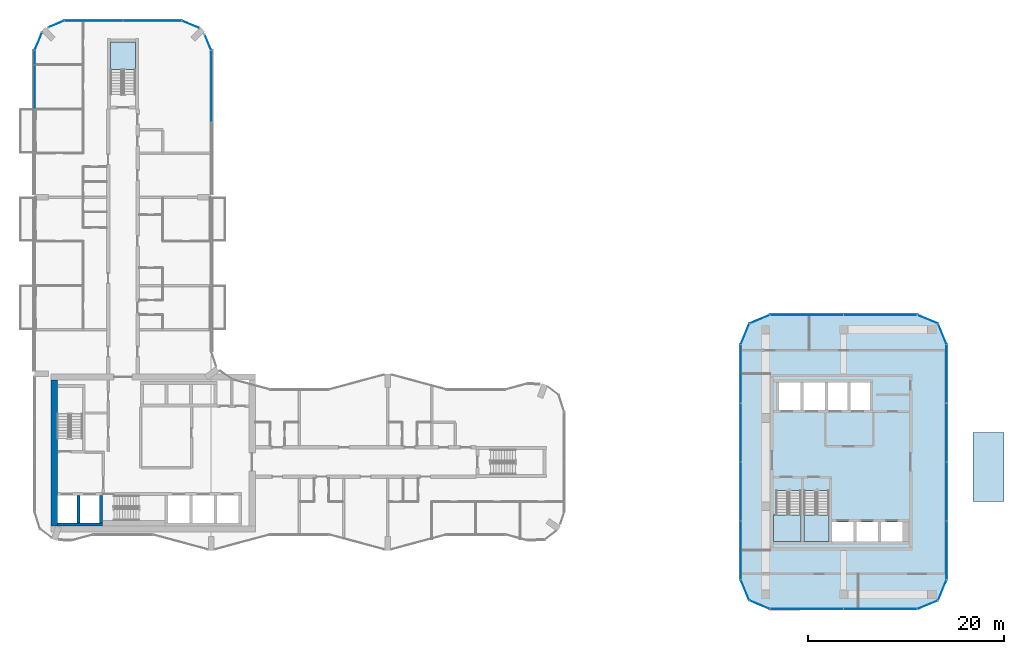
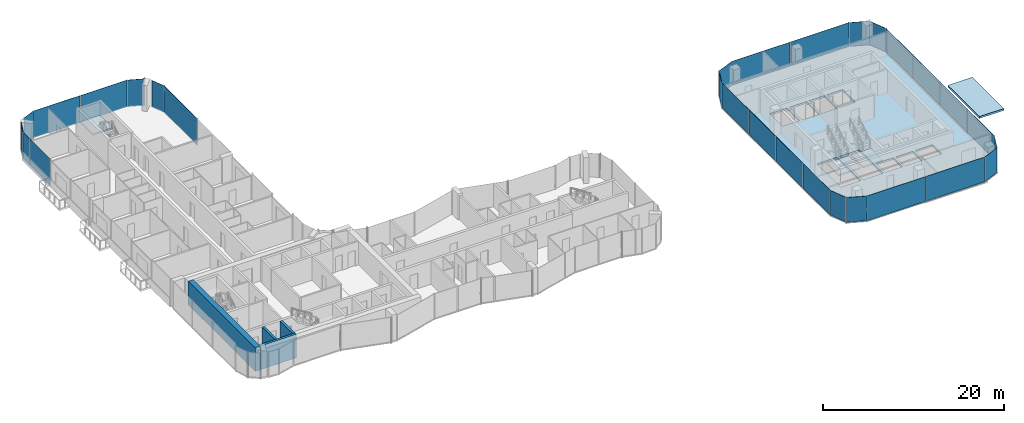
# One storey, part 10 of 19: 29 plates, 5 slabs, 4 walls, 22 elements without a shape of their own.
"""IFC4 building model written with IfcOpenShell, lengths in metres."""

from ifc_helpers import new_model, si_unit, direction, frame, frame_2d, origin, origin_2d, place, context, subcontext, project, spatial, polyline, rectangle, outline, extrude, material, layer, layer_set, type_object, element, aggregate, save


model = new_model("IFC4")

# Units and contexts
model_context = context("Model", 3, precision=1e-05, world=origin(), true_north=direction((0.0, 1.0)))
body_context = subcontext(model_context, "Body", "Model", "MODEL_VIEW")
ifc_project = project(units=[si_unit("LENGTHUNIT", "METRE"), si_unit("AREAUNIT", "SQUARE_METRE"), si_unit("VOLUMEUNIT", "CUBIC_METRE"), si_unit("PLANEANGLEUNIT", "RADIAN"), si_unit("MASSUNIT", "GRAM", prefix="KILO")], contexts=[model_context])

# Site, building, storey
site_placement = place(None, origin())
site = spatial("IfcSite", under=ifc_project, at=site_placement, CompositionType="ELEMENT")
building_placement = place(site_placement, origin())
building = spatial("IfcBuilding", under=site, at=building_placement, Name="Plateau Cross Towers", CompositionType="ELEMENT")
storey_placement = place(building_placement, frame((0.0, 0.0, 120.300048828125)))
storey = spatial("IfcBuildingStorey", under=building, at=storey_placement, Name="L31", CompositionType="ELEMENT", Elevation=120.300048828125)

# Curtain wall, plates
ifc_material_1 = material(Name="Dark low-iron glass", Category="glass")
ifc_layer_1 = layer(ifc_material_1, 0.239990234375)
ifc_layer_set_1 = layer_set([ifc_layer_1], Name="Dark low-iron glass")
curtain_wall_type_1 = type_object("IfcCurtainWallType", Name="Curtain wall office unitised CW-F", PredefinedType="NOTDEFINED", material=ifc_layer_set_1)
curtain_wall_1_placement = place(storey_placement, origin())
curtain_wall_1 = element("IfcCurtainWall", 1, at=curtain_wall_1_placement, inside=storey, type_object=curtain_wall_type_1, Name="ENV/B/L31/B750_-60", PredefinedType="NOTDEFINED")
ifc_layer_2 = layer(ifc_material_1, 0.028076171875)
ifc_layer_set_2 = layer_set([ifc_layer_2], Name="Dark low-iron glass")
plate_type_1 = type_object("IfcPlateType", Name="Glass panel 28 office unitised", PredefinedType="CURTAIN_PANEL", material=ifc_layer_set_2)
plate_1_placement = place(storey_placement, frame((78.75, -6.0, -0.130126953125), z_axis=(0.0, 0.0, 1.0), x_axis=(1.0, 0.0, 0.0)))
plate_1 = element("IfcPlate", 2, at=plate_1_placement, type_object=plate_type_1, Name="CW-F panel 1", PredefinedType="CURTAIN_PANEL", context=body_context, shape_type="SweptSolid", body=[
    extrude(rectangle(XDim=7.43994140625, YDim=0.028076171875, at=origin_2d()), origin(), (0.0, 0.0, 1.0), 3.330078125),
])
plate_2_placement = place(storey_placement, frame((86.25, -6.0, -0.130126953125), z_axis=(0.0, 0.0, 1.0), x_axis=(1.0, 0.0, 0.0)))
plate_2 = element("IfcPlate", 3, at=plate_2_placement, type_object=plate_type_1, Name="CW-F panel 2", PredefinedType="CURTAIN_PANEL", context=body_context, shape_type="SweptSolid", body=[
    extrude(rectangle(XDim=7.43994140625, YDim=0.028076171875, at=origin_2d()), origin(), (0.0, 0.0, 1.0), 3.330078125),
])
aggregate(curtain_wall_1, [plate_1, plate_2])

# Curtain wall, plate
curtain_wall_2_placement = place(storey_placement, origin())
curtain_wall_2 = element("IfcCurtainWall", 4, at=curtain_wall_2_placement, inside=storey, type_object=curtain_wall_type_1, Name="ENV/B/L31/B900_-60", PredefinedType="NOTDEFINED")
plate_3_placement = place(storey_placement, frame((91.060546875, -5.560546875, -0.130126953125), z_axis=(0.0, 0.0, 1.0), x_axis=(0.923879457699, 0.382683612978, 0.0)))
plate_3 = element("IfcPlate", 5, at=plate_3_placement, type_object=plate_type_1, Name="CW-F panel 1", PredefinedType="CURTAIN_PANEL", context=body_context, shape_type="SweptSolid", body=[
    extrude(rectangle(XDim=2.236083984375, YDim=0.028076171875, at=origin_2d()), origin(), (0.0, 0.0, 1.0), 3.330078125),
])
aggregate(curtain_wall_2, [plate_3])

curtain_wall_3_placement = place(storey_placement, origin())
curtain_wall_3 = element("IfcCurtainWall", 6, at=curtain_wall_3_placement, inside=storey, type_object=curtain_wall_type_1, Name="ENV/B/L31/B921_-51", PredefinedType="NOTDEFINED")
plate_4_placement = place(storey_placement, frame((92.560546875, -4.060546875, -0.130126953125), z_axis=(0.0, 0.0, 1.0), x_axis=(0.382683612978, 0.923879457699, 0.0)))
plate_4 = element("IfcPlate", 7, at=plate_4_placement, type_object=plate_type_1, Name="CW-F panel 1", PredefinedType="CURTAIN_PANEL", context=body_context, shape_type="SweptSolid", body=[
    extrude(rectangle(XDim=2.236083984375, YDim=0.028076171875, at=origin_2d()), origin(), (0.0, 0.0, 1.0), 3.330078125),
])
aggregate(curtain_wall_3, [plate_4])

# Curtain wall, plates
curtain_wall_4_placement = place(storey_placement, origin())
curtain_wall_4 = element("IfcCurtainWall", 8, at=curtain_wall_4_placement, inside=storey, type_object=curtain_wall_type_1, Name="ENV/B/L31/B930_-30", PredefinedType="NOTDEFINED")
plate_5_placement = place(storey_placement, frame((93.0, 0.0, -0.130126953125), z_axis=(0.0, 0.0, 1.0), x_axis=(0.0, 1.0, 0.0)))
plate_5 = element("IfcPlate", 9, at=plate_5_placement, type_object=plate_type_1, Name="CW-F panel 1", PredefinedType="CURTAIN_PANEL", context=body_context, shape_type="SweptSolid", body=[
    extrude(rectangle(XDim=5.93994140625, YDim=0.028076171875, at=origin_2d()), origin(), (0.0, 0.0, 1.0), 3.330078125),
])
plate_6_placement = place(storey_placement, frame((93.0, 6.0, -0.130126953125), z_axis=(0.0, 0.0, 1.0), x_axis=(0.0, 1.0, 0.0)))
plate_6 = element("IfcPlate", 10, at=plate_6_placement, type_object=plate_type_1, Name="CW-F panel 2", PredefinedType="CURTAIN_PANEL", context=body_context, shape_type="SweptSolid", body=[
    extrude(rectangle(XDim=5.93994140625, YDim=0.028076171875, at=origin_2d()), origin(), (0.0, 0.0, 1.0), 3.330078125),
])
plate_7_placement = place(storey_placement, frame((93.0, 12.0, -0.130126953125), z_axis=(0.0, 0.0, 1.0), x_axis=(0.0, 1.0, 0.0)))
plate_7 = element("IfcPlate", 11, at=plate_7_placement, type_object=plate_type_1, Name="CW-F panel 3", PredefinedType="CURTAIN_PANEL", context=body_context, shape_type="SweptSolid", body=[
    extrude(rectangle(XDim=5.93994140625, YDim=0.028076171875, at=origin_2d()), origin(), (0.0, 0.0, 1.0), 3.330078125),
])
plate_8_placement = place(storey_placement, frame((93.0, 18.0, -0.130126953125), z_axis=(0.0, 0.0, 1.0), x_axis=(0.0, 1.0, 0.0)))
plate_8 = element("IfcPlate", 12, at=plate_8_placement, type_object=plate_type_1, Name="CW-F panel 4", PredefinedType="CURTAIN_PANEL", context=body_context, shape_type="SweptSolid", body=[
    extrude(rectangle(XDim=5.93994140625, YDim=0.028076171875, at=origin_2d()), origin(), (0.0, 0.0, 1.0), 3.330078125),
])
aggregate(curtain_wall_4, [plate_5, plate_6, plate_7, plate_8])

# Curtain wall, plate
curtain_wall_5_placement = place(storey_placement, origin())
curtain_wall_5 = element("IfcCurtainWall", 13, at=curtain_wall_5_placement, inside=storey, type_object=curtain_wall_type_1, Name="ENV/B/L31/B930_210", PredefinedType="NOTDEFINED")
plate_9_placement = place(storey_placement, frame((92.560546875, 22.060546875, -0.130126953125), z_axis=(0.0, 0.0, 1.0), x_axis=(-0.382683612978, 0.923879457699, 0.0)))
plate_9 = element("IfcPlate", 14, at=plate_9_placement, type_object=plate_type_1, Name="CW-F panel 1", PredefinedType="CURTAIN_PANEL", context=body_context, shape_type="SweptSolid", body=[
    extrude(rectangle(XDim=2.236083984375, YDim=0.028076171875, at=origin_2d()), origin(), (0.0, 0.0, 1.0), 3.330078125),
])
aggregate(curtain_wall_5, [plate_9])

curtain_wall_6_placement = place(storey_placement, origin())
curtain_wall_6 = element("IfcCurtainWall", 15, at=curtain_wall_6_placement, inside=storey, type_object=curtain_wall_type_1, Name="ENV/B/L31/B921_231", PredefinedType="NOTDEFINED")
plate_10_placement = place(storey_placement, frame((91.060546875, 23.560546875, -0.130126953125), z_axis=(0.0, 0.0, 1.0), x_axis=(-0.923879457699, 0.382683612978, 0.0)))
plate_10 = element("IfcPlate", 16, at=plate_10_placement, type_object=plate_type_1, Name="CW-F panel 1", PredefinedType="CURTAIN_PANEL", context=body_context, shape_type="SweptSolid", body=[
    extrude(rectangle(XDim=2.236083984375, YDim=0.028076171875, at=origin_2d()), origin(), (0.0, 0.0, 1.0), 3.330078125),
])
aggregate(curtain_wall_6, [plate_10])

# Curtain wall, plates
curtain_wall_7_placement = place(storey_placement, origin())
curtain_wall_7 = element("IfcCurtainWall", 17, at=curtain_wall_7_placement, inside=storey, type_object=curtain_wall_type_1, Name="ENV/B/L31/B900_240", PredefinedType="NOTDEFINED")
plate_11_placement = place(storey_placement, frame((86.25, 24.0, -0.130126953125), z_axis=(0.0, 0.0, 1.0), x_axis=(-1.0, 0.0, 0.0)))
plate_11 = element("IfcPlate", 18, at=plate_11_placement, type_object=plate_type_1, Name="CW-F panel 1", PredefinedType="CURTAIN_PANEL", context=body_context, shape_type="SweptSolid", body=[
    extrude(rectangle(XDim=7.43994140625, YDim=0.028076171875, at=origin_2d()), origin(), (0.0, 0.0, 1.0), 3.330078125),
])
plate_12_placement = place(storey_placement, frame((78.75, 24.0, -0.130126953125), z_axis=(0.0, 0.0, 1.0), x_axis=(-1.0, 0.0, 0.0)))
plate_12 = element("IfcPlate", 19, at=plate_12_placement, type_object=plate_type_1, Name="CW-F panel 2", PredefinedType="CURTAIN_PANEL", context=body_context, shape_type="SweptSolid", body=[
    extrude(rectangle(XDim=7.43994140625, YDim=0.028076171875, at=origin_2d()), origin(), (0.0, 0.0, 1.0), 3.330078125),
])
aggregate(curtain_wall_7, [plate_11, plate_12])

# Curtain wall, plate
curtain_wall_8_placement = place(storey_placement, origin())
curtain_wall_8 = element("IfcCurtainWall", 20, at=curtain_wall_8_placement, inside=storey, type_object=curtain_wall_type_1, Name="ENV/B/L31/B750_240", PredefinedType="NOTDEFINED")
plate_13_placement = place(storey_placement, frame((73.939453125, 23.560546875, -0.130126953125), z_axis=(0.0, 0.0, 1.0), x_axis=(-0.923879457699, -0.382683612978, 0.0)))
plate_13 = element("IfcPlate", 21, at=plate_13_placement, type_object=plate_type_1, Name="CW-F panel 1", PredefinedType="CURTAIN_PANEL", context=body_context, shape_type="SweptSolid", body=[
    extrude(rectangle(XDim=2.236083984375, YDim=0.028076171875, at=origin_2d()), origin(), (0.0, 0.0, 1.0), 3.330078125),
])
aggregate(curtain_wall_8, [plate_13])

curtain_wall_9_placement = place(storey_placement, origin())
curtain_wall_9 = element("IfcCurtainWall", 22, at=curtain_wall_9_placement, inside=storey, type_object=curtain_wall_type_1, Name="ENV/B/L31/B729_231", PredefinedType="NOTDEFINED")
plate_14_placement = place(storey_placement, frame((72.439453125, 22.060546875, -0.130126953125), z_axis=(0.0, 0.0, 1.0), x_axis=(-0.382683612978, -0.923879457699, 0.0)))
plate_14 = element("IfcPlate", 23, at=plate_14_placement, type_object=plate_type_1, Name="CW-F panel 1", PredefinedType="CURTAIN_PANEL", context=body_context, shape_type="SweptSolid", body=[
    extrude(rectangle(XDim=2.236083984375, YDim=0.028076171875, at=origin_2d()), origin(), (0.0, 0.0, 1.0), 3.330078125),
])
aggregate(curtain_wall_9, [plate_14])

# Curtain wall, plates
curtain_wall_10_placement = place(storey_placement, origin())
curtain_wall_10 = element("IfcCurtainWall", 24, at=curtain_wall_10_placement, inside=storey, type_object=curtain_wall_type_1, Name="ENV/B/L31/B720_210", PredefinedType="NOTDEFINED")
plate_15_placement = place(storey_placement, frame((72.0, 18.0, -0.130126953125), z_axis=(0.0, 0.0, 1.0), x_axis=(0.0, -1.0, 0.0)))
plate_15 = element("IfcPlate", 25, at=plate_15_placement, type_object=plate_type_1, Name="CW-F panel 1", PredefinedType="CURTAIN_PANEL", context=body_context, shape_type="SweptSolid", body=[
    extrude(rectangle(XDim=5.93994140625, YDim=0.028076171875, at=origin_2d()), origin(), (0.0, 0.0, 1.0), 3.330078125),
])
plate_16_placement = place(storey_placement, frame((72.0, 12.0, -0.130126953125), z_axis=(0.0, 0.0, 1.0), x_axis=(0.0, -1.0, 0.0)))
plate_16 = element("IfcPlate", 26, at=plate_16_placement, type_object=plate_type_1, Name="CW-F panel 2", PredefinedType="CURTAIN_PANEL", context=body_context, shape_type="SweptSolid", body=[
    extrude(rectangle(XDim=5.93994140625, YDim=0.028076171875, at=origin_2d()), origin(), (0.0, 0.0, 1.0), 3.330078125),
])
plate_17_placement = place(storey_placement, frame((72.0, 6.0, -0.130126953125), z_axis=(0.0, 0.0, 1.0), x_axis=(0.0, -1.0, 0.0)))
plate_17 = element("IfcPlate", 27, at=plate_17_placement, type_object=plate_type_1, Name="CW-F panel 3", PredefinedType="CURTAIN_PANEL", context=body_context, shape_type="SweptSolid", body=[
    extrude(rectangle(XDim=5.93994140625, YDim=0.028076171875, at=origin_2d()), origin(), (0.0, 0.0, 1.0), 3.330078125),
])
plate_18_placement = place(storey_placement, frame((72.0, 0.0, -0.130126953125), z_axis=(0.0, 0.0, 1.0), x_axis=(0.0, -1.0, 0.0)))
plate_18 = element("IfcPlate", 28, at=plate_18_placement, type_object=plate_type_1, Name="CW-F panel 4", PredefinedType="CURTAIN_PANEL", context=body_context, shape_type="SweptSolid", body=[
    extrude(rectangle(XDim=5.93994140625, YDim=0.028076171875, at=origin_2d()), origin(), (0.0, 0.0, 1.0), 3.330078125),
])
aggregate(curtain_wall_10, [plate_15, plate_16, plate_17, plate_18])

# Curtain wall, plate
curtain_wall_11_placement = place(storey_placement, origin())
curtain_wall_11 = element("IfcCurtainWall", 29, at=curtain_wall_11_placement, inside=storey, type_object=curtain_wall_type_1, Name="ENV/B/L31/B720_-30", PredefinedType="NOTDEFINED")
plate_19_placement = place(storey_placement, frame((72.439453125, -4.060546875, -0.130126953125), z_axis=(0.0, 0.0, 1.0), x_axis=(0.382683612978, -0.923879457699, 0.0)))
plate_19 = element("IfcPlate", 30, at=plate_19_placement, type_object=plate_type_1, Name="CW-F panel 1", PredefinedType="CURTAIN_PANEL", context=body_context, shape_type="SweptSolid", body=[
    extrude(rectangle(XDim=2.236083984375, YDim=0.028076171875, at=origin_2d()), origin(), (0.0, 0.0, 1.0), 3.330078125),
])
aggregate(curtain_wall_11, [plate_19])

curtain_wall_12_placement = place(storey_placement, origin())
curtain_wall_12 = element("IfcCurtainWall", 31, at=curtain_wall_12_placement, inside=storey, type_object=curtain_wall_type_1, Name="ENV/B/L31/B729_-51", PredefinedType="NOTDEFINED")
plate_20_placement = place(storey_placement, frame((73.939453125, -5.560546875, -0.130126953125), z_axis=(0.0, 0.0, 1.0), x_axis=(0.923879457699, -0.382683612978, 0.0)))
plate_20 = element("IfcPlate", 32, at=plate_20_placement, type_object=plate_type_1, Name="CW-F panel 1", PredefinedType="CURTAIN_PANEL", context=body_context, shape_type="SweptSolid", body=[
    extrude(rectangle(XDim=2.236083984375, YDim=0.028076171875, at=origin_2d()), origin(), (0.0, 0.0, 1.0), 3.330078125),
])
aggregate(curtain_wall_12, [plate_20])

ifc_layer_3 = layer(ifc_material_1, 0.239990234375)
ifc_layer_set_3 = layer_set([ifc_layer_3], Name="Dark low-iron glass")
curtain_wall_type_2 = type_object("IfcCurtainWallType", Name="Curtain wall flush unitised CW-B", PredefinedType="NOTDEFINED", material=ifc_layer_set_3)
curtain_wall_13_placement = place(storey_placement, origin())
curtain_wall_13 = element("IfcCurtainWall", 33, at=curtain_wall_13_placement, inside=storey, type_object=curtain_wall_type_2, Name="ENV/A/L31/A180_363", PredefinedType="NOTDEFINED")
ifc_layer_4 = layer(ifc_material_1, 0.031982421875)
ifc_layer_set_4 = layer_set([ifc_layer_4], Name="Dark low-iron glass")
plate_type_2 = type_object("IfcPlateType", Name="Glass panel 32 flush unitised", PredefinedType="CURTAIN_PANEL", material=ifc_layer_set_4)
plate_21_placement = place(storey_placement, frame((18.0, 47.324951171875, -0.1298828125), z_axis=(0.0, 0.0, 1.0), x_axis=(0.0, 1.0, 0.0)))
plate_21 = element("IfcPlate", 34, at=plate_21_placement, type_object=plate_type_2, Name="CW-B panel 2", PredefinedType="CURTAIN_PANEL", context=body_context, shape_type="SweptSolid", body=[
    extrude(rectangle(XDim=7.2900390625, YDim=0.031982421875, at=origin_2d()), origin(), (0.0, 0.0, 1.0), 3.6298828125),
])
aggregate(curtain_wall_13, [plate_21])

curtain_wall_14_placement = place(storey_placement, origin())
curtain_wall_14 = element("IfcCurtainWall", 35, at=curtain_wall_14_placement, inside=storey, type_object=curtain_wall_type_2, Name="ENV/A/L31/A180_510", PredefinedType="NOTDEFINED")
plate_22_placement = place(storey_placement, frame((17.66943359375, 51.79833984375, -0.1298828125), z_axis=(0.0, 0.0, 1.0), x_axis=(-0.382683612978, 0.923879457699, 0.0)))
plate_22 = element("IfcPlate", 36, at=plate_22_placement, type_object=plate_type_2, Name="CW-B panel 1", PredefinedType="CURTAIN_PANEL", context=body_context, shape_type="SweptSolid", body=[
    extrude(rectangle(XDim=1.668212890625, YDim=0.031982421875, at=origin_2d()), origin(), (0.0, 0.0, 1.0), 3.6298828125),
])
aggregate(curtain_wall_14, [plate_22])

curtain_wall_15_placement = place(storey_placement, origin())
curtain_wall_15 = element("IfcCurtainWall", 37, at=curtain_wall_15_placement, inside=storey, type_object=curtain_wall_type_2, Name="ENV/A/L31/A168_533", PredefinedType="NOTDEFINED")
plate_23_placement = place(storey_placement, frame((15.90283203125, 53.6259765625, -0.1298828125), z_axis=(0.0, 0.0, 1.0), x_axis=(-0.923879457699, 0.382683612978, 0.0)))
plate_23 = element("IfcPlate", 38, at=plate_23_placement, type_object=plate_type_2, Name="CW-B panel 1", PredefinedType="CURTAIN_PANEL", context=body_context, shape_type="SweptSolid", body=[
    extrude(rectangle(XDim=1.894775390625, YDim=0.031982421875, at=origin_2d()), origin(), (0.0, 0.0, 1.0), 3.6298828125),
])
aggregate(curtain_wall_15, [plate_23])

# Curtain wall, plates
curtain_wall_16_placement = place(storey_placement, origin())
curtain_wall_16 = element("IfcCurtainWall", 39, at=curtain_wall_16_placement, inside=storey, type_object=curtain_wall_type_2, Name="ENV/A/L31/A150_540", PredefinedType="NOTDEFINED")
plate_24_placement = place(storey_placement, frame((12.0, 54.0, -0.1298828125), z_axis=(0.0, 0.0, 1.0), x_axis=(-1.0, 0.0, 0.0)))
plate_24 = element("IfcPlate", 40, at=plate_24_placement, type_object=plate_type_2, Name="CW-B panel 1", PredefinedType="CURTAIN_PANEL", context=body_context, shape_type="SweptSolid", body=[
    extrude(rectangle(XDim=5.93994140625, YDim=0.031982421875, at=origin_2d()), origin(), (0.0, 0.0, 1.0), 3.6298828125),
])
plate_25_placement = place(storey_placement, frame((6.0, 54.0, -0.1298828125), z_axis=(0.0, 0.0, 1.0), x_axis=(-1.0, 0.0, 0.0)))
plate_25 = element("IfcPlate", 41, at=plate_25_placement, type_object=plate_type_2, Name="CW-B panel 2", PredefinedType="CURTAIN_PANEL", context=body_context, shape_type="SweptSolid", body=[
    extrude(rectangle(XDim=5.93994140625, YDim=0.031982421875, at=origin_2d()), origin(), (0.0, 0.0, 1.0), 3.6298828125),
])
aggregate(curtain_wall_16, [plate_24, plate_25])

# Curtain wall, plate
curtain_wall_17_placement = place(storey_placement, origin())
curtain_wall_17 = element("IfcCurtainWall", 42, at=curtain_wall_17_placement, inside=storey, type_object=curtain_wall_type_2, Name="ENV/A/L31/A30_540", PredefinedType="NOTDEFINED")
plate_26_placement = place(storey_placement, frame((2.20166015625, 53.66943359375, -0.1298828125), z_axis=(0.0, 0.0, 1.0), x_axis=(-0.923879457699, -0.382683612978, 0.0)))
plate_26 = element("IfcPlate", 43, at=plate_26_placement, type_object=plate_type_2, Name="CW-B panel 1", PredefinedType="CURTAIN_PANEL", context=body_context, shape_type="SweptSolid", body=[
    extrude(rectangle(XDim=1.668212890625, YDim=0.031982421875, at=origin_2d()), origin(), (0.0, 0.0, 1.0), 3.6298828125),
])
aggregate(curtain_wall_17, [plate_26])

curtain_wall_18_placement = place(storey_placement, origin())
curtain_wall_18 = element("IfcCurtainWall", 44, at=curtain_wall_18_placement, inside=storey, type_object=curtain_wall_type_2, Name="ENV/A/L31/A7_528", PredefinedType="NOTDEFINED")
plate_27_placement = place(storey_placement, frame((0.3740234375, 51.90283203125, -0.1298828125), z_axis=(0.0, 0.0, 1.0), x_axis=(-0.382683612978, -0.923879457699, 0.0)))
plate_27 = element("IfcPlate", 45, at=plate_27_placement, type_object=plate_type_2, Name="CW-B panel 1", PredefinedType="CURTAIN_PANEL", context=body_context, shape_type="SweptSolid", body=[
    extrude(rectangle(XDim=1.894775390625, YDim=0.031982421875, at=origin_2d()), origin(), (0.0, 0.0, 1.0), 3.6298828125),
])
aggregate(curtain_wall_18, [plate_27])

# Curtain wall, plates
curtain_wall_19_placement = place(storey_placement, origin())
curtain_wall_19 = element("IfcCurtainWall", 46, at=curtain_wall_19_placement, inside=storey, type_object=curtain_wall_type_2, Name="ENV/A/L31/A0_510", PredefinedType="NOTDEFINED")
plate_28_placement = place(storey_placement, frame((0.0, 50.25, -0.1298828125), z_axis=(0.0, 0.0, 1.0), x_axis=(0.0, -1.0, 0.0)))
plate_28 = element("IfcPlate", 47, at=plate_28_placement, type_object=plate_type_2, Name="CW-B panel 1", PredefinedType="CURTAIN_PANEL", context=body_context, shape_type="SweptSolid", body=[
    extrude(rectangle(XDim=1.43994140625, YDim=0.031982421875, at=origin_2d()), origin(), (0.0, 0.0, 1.0), 3.6298828125),
])
plate_29_placement = place(storey_placement, frame((0.0, 47.2548828125, -0.1298828125), z_axis=(0.0, 0.0, 1.0), x_axis=(0.0, -1.0, 0.0)))
plate_29 = element("IfcPlate", 48, at=plate_29_placement, type_object=plate_type_2, Name="CW-B panel 2", PredefinedType="CURTAIN_PANEL", context=body_context, shape_type="SweptSolid", body=[
    extrude(rectangle(XDim=4.429931640625, YDim=0.031982421875, at=origin_2d()), origin(), (0.0, 0.0, 1.0), 3.6298828125),
])
aggregate(curtain_wall_19, [plate_28, plate_29])

# Slabs
ifc_material_2 = material(Name="Concrete C40/50", Category="concrete")
ifc_layer_5 = layer(ifc_material_2, 0.300048828125)
ifc_layer_set_5 = layer_set([ifc_layer_5], Name="Concrete C40/50")
slab_type_1 = type_object("IfcSlabType", Name="Head house roof slab", PredefinedType="ROOF", material=ifc_layer_set_5)
slab_1_placement = place(storey_placement, frame((0.0, 0.0, -0.25)))
element("IfcSlab", 49, at=slab_1_placement, inside=storey, type_object=slab_type_1, Name="Stair head house roof 3", PredefinedType="ROOF", context=body_context, shape_type="SweptSolid", body=[
    extrude(outline(polyline([(95.699951171875, 5.0), (98.85009765625, 5.0), (98.85009765625, 12.0), (95.699951171875, 12.0), (95.699951171875, 5.0)])), origin(), (0.0, 0.0, 1.0), 0.25),
])
ifc_layer_6 = layer(ifc_material_2, 0.25)
ifc_layer_set_6 = layer_set([ifc_layer_6], Name="Concrete C40/50")
slab_type_2 = type_object("IfcSlabType", Name="Post-tensioned flat plate slab 250", PredefinedType="FLOOR", material=ifc_layer_set_6)
slab_2_placement = place(storey_placement, frame((0.0, 0.0, -0.25)))
element("IfcSlab", 50, at=slab_2_placement, inside=storey, type_object=slab_type_2, Name="SL-B-L31", PredefinedType="FLOOR", context=body_context, shape_type="SweptSolid", body=[
    extrude(outline(polyline([(72.878662109375, -5.121337890625), (72.0, -3.0), (72.0, 21.0), (72.878662109375, 23.121337890625), (75.0, 24.0), (90.0, 24.0), (92.121337890625, 23.121337890625), (93.0, 21.0), (93.0, -3.0), (92.121337890625, -5.121337890625), (90.0, -6.0), (75.0, -6.0), (72.878662109375, -5.121337890625)]), holes=[polyline([(75.60009765625, 0.89990234375), (78.14990234375, 0.89990234375), (78.14990234375, 6.10009765625), (75.60009765625, 6.10009765625), (75.60009765625, 0.89990234375)]), polyline([(83.5, 0.89990234375), (83.5, 2.89990234375), (81.300048828125, 2.89990234375), (81.300048828125, 0.89990234375), (83.5, 0.89990234375)]), polyline([(86.0, 0.89990234375), (86.0, 2.89990234375), (83.800048828125, 2.89990234375), (83.800048828125, 0.89990234375), (86.0, 0.89990234375)]), polyline([(88.5, 0.89990234375), (88.5, 2.89990234375), (86.300048828125, 2.89990234375), (86.300048828125, 0.89990234375), (88.5, 0.89990234375)]), polyline([(78.449951171875, 0.89990234375), (81.0, 0.89990234375), (81.0, 6.10009765625), (78.449951171875, 6.10009765625), (78.449951171875, 0.89990234375)]), polyline([(78.10009765625, 14.300048828125), (78.10009765625, 17.10009765625), (75.89990234375, 17.10009765625), (75.89990234375, 14.300048828125), (78.10009765625, 14.300048828125)]), polyline([(80.60009765625, 14.300048828125), (80.60009765625, 17.10009765625), (78.39990234375, 17.10009765625), (78.39990234375, 14.300048828125), (80.60009765625, 14.300048828125)]), polyline([(82.89990234375, 14.300048828125), (82.89990234375, 17.10009765625), (80.89990234375, 17.10009765625), (80.89990234375, 14.300048828125), (82.89990234375, 14.300048828125)]), polyline([(85.199951171875, 14.300048828125), (85.199951171875, 17.10009765625), (83.199951171875, 17.10009765625), (83.199951171875, 14.300048828125), (85.199951171875, 14.300048828125)])]), origin(), (0.0, 0.0, 1.0), 0.25),
])

# Stair, slab
stair_type = type_object("IfcStairType", Name="ST-TWR", PredefinedType="HALF_TURN_STAIR", material=ifc_material_2)
stair_1_placement = place(storey_placement, origin())
stair_1 = element("IfcStair", 51, at=stair_1_placement, inside=storey, type_object=stair_type, Name="L31 Protected Exit Stair SB-1", PredefinedType="HALF_TURN_STAIR")
ifc_layer_7 = layer(ifc_material_2, 0.199951171875)
ifc_layer_set_7 = layer_set([ifc_layer_7], Name="Concrete C40/50")
slab_type_3 = type_object("IfcSlabType", Name="SL-LANDING", PredefinedType="LANDING", material=ifc_layer_set_7)
slab_3_placement = place(storey_placement, frame((0.0, 0.0, 1.550048828125)))
slab_3 = element("IfcSlab", 52, at=slab_3_placement, type_object=slab_type_3, Name="SB-1 landing 1", PredefinedType="LANDING", context=body_context, shape_type="SweptSolid", body=[
    extrude(outline(polyline([(75.35009765625, 3.580078125), (75.35009765625, 0.89990234375), (78.14990234375, 0.89990234375), (78.14990234375, 3.580078125), (75.35009765625, 3.580078125)])), origin(), (0.0, 0.0, 1.0), 0.199951171875),
])
aggregate(stair_1, [slab_3])

stair_2_placement = place(storey_placement, origin())
stair_2 = element("IfcStair", 53, at=stair_2_placement, inside=storey, type_object=stair_type, Name="L31 Protected Exit Stair SB-2", PredefinedType="HALF_TURN_STAIR")
slab_4_placement = place(storey_placement, frame((0.0, 0.0, 1.550048828125)))
slab_4 = element("IfcSlab", 54, at=slab_4_placement, type_object=slab_type_3, Name="SB-2 landing 1", PredefinedType="LANDING", context=body_context, shape_type="SweptSolid", body=[
    extrude(outline(polyline([(78.449951171875, 3.580078125), (78.449951171875, 0.89990234375), (81.0, 0.89990234375), (81.0, 3.580078125), (78.449951171875, 3.580078125)])), origin(), (0.0, 0.0, 1.0), 0.199951171875),
])
aggregate(stair_2, [slab_4])

stair_3_placement = place(storey_placement, origin())
stair_3 = element("IfcStair", 55, at=stair_3_placement, inside=storey, type_object=stair_type, Name="L31 Protected Exit Stair N", PredefinedType="HALF_TURN_STAIR")
slab_5_placement = place(storey_placement, frame((0.0, 0.0, 1.550048828125)))
slab_5 = element("IfcSlab", 56, at=slab_5_placement, type_object=slab_type_3, Name="ES-N landing 1", PredefinedType="LANDING", context=body_context, shape_type="SweptSolid", body=[
    extrude(outline(polyline([(10.27490234375, 49.02001953125), (10.27490234375, 51.85009765625), (7.72509765625, 51.85009765625), (7.72509765625, 49.02001953125), (10.27490234375, 49.02001953125)])), origin(), (0.0, 0.0, 1.0), 0.199951171875),
])
aggregate(stair_3, [slab_5])

# Walls
ifc_material_3 = material(Name="Concrete C60/75", Category="concrete")
ifc_layer_8 = layer(ifc_material_3, 0.300048828125)
ifc_layer_set_8 = layer_set([ifc_layer_8], Name="Concrete C60/75")
wall_type_1 = type_object("IfcWallType", Name="Core shaft wall 300", PredefinedType="SHEAR", material=ifc_layer_set_8)
wall_1_placement = place(storey_placement, frame((2.300048828125, 2.64990234375, 0.0), z_axis=(0.0, 0.0, 1.0), x_axis=(1.0, 0.0, 0.0)))
element("IfcWall", 57, at=wall_1_placement, inside=storey, type_object=wall_type_1, Name="A-sb-back1@L31", PredefinedType="SHEAR", context=body_context, shape_type="SweptSolid", body=[
    extrude(rectangle(XDim=4.599853515625, YDim=0.300048828125, at=frame_2d((2.2998046875, 0.0))), origin(), (0.0, 0.0, 1.0), 3.199951171875),
])
for number, where, z_axis, x_axis, name in (
    (58, (4.449951171875, 2.800048828125, 0.0), (0.0, 0.0, 1.0), (0.0, 1.0, 0.0), "A-sb-v1@L31"),
    (59, (6.75, 2.800048828125, 0.0), (0.0, 0.0, 1.0), (0.0, 1.0, 0.0), "A-sb-v2@L31"),
):
    element("IfcWall", number, at=place(storey_placement, frame(where, z_axis=z_axis, x_axis=x_axis)), inside=storey, type_object=wall_type_1, Name=name, PredefinedType="SHEAR", context=body_context, shape_type="SweptSolid", body=[
        extrude(rectangle(XDim=2.800048828125, YDim=0.300048828125, at=frame_2d((1.39990234375, 0.0))), origin(), (0.0, 0.0, 1.0), 3.199951171875),
    ])
ifc_layer_9 = layer(ifc_material_3, 0.64990234375)
ifc_layer_set_9 = layer_set([ifc_layer_9], Name="Concrete C60/75")
wall_type_2 = type_object("IfcWallType", Name="Core shell wall 650", PredefinedType="SHEAR", material=ifc_layer_set_9)
wall_2_placement = place(storey_placement, frame((1.97509765625, 2.5, 0.0), z_axis=(0.0, 0.0, 1.0), x_axis=(0.0, 1.0, 0.0)))
element("IfcWall", 60, at=wall_2_placement, inside=storey, type_object=wall_type_2, Name="A-core-W@L31", PredefinedType="SHEAR", context=body_context, shape_type="SweptSolid", body=[
    extrude(rectangle(XDim=14.85009765625, YDim=0.64990234375, at=frame_2d((7.425048828125, 0.0))), origin(), (0.0, 0.0, 1.0), 3.199951171875),
])

save(model, "model.ifc")
